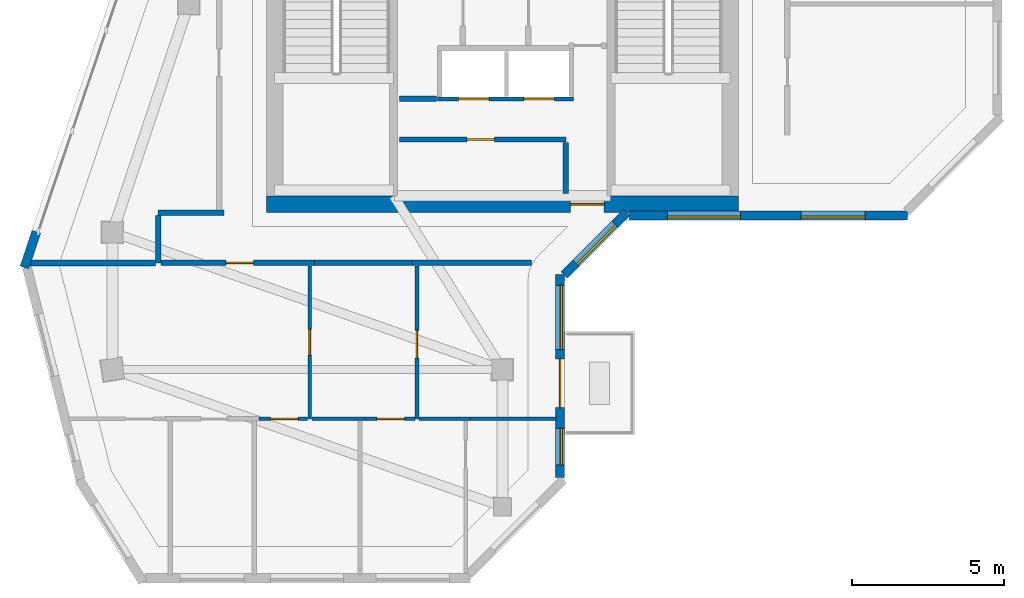
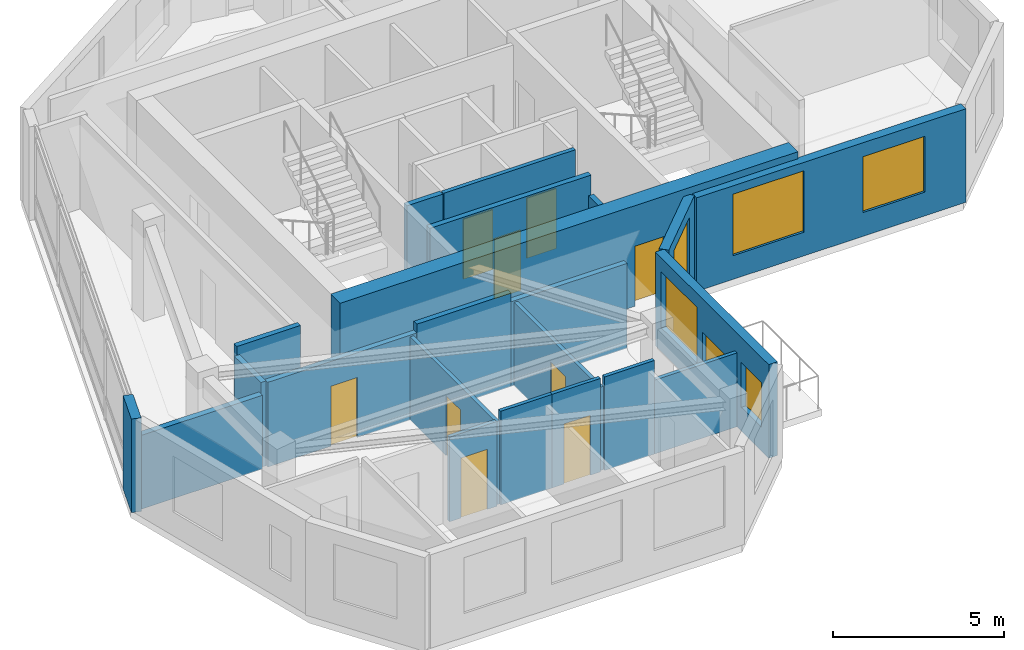
# One storey, part 3 of 7: 22 walls, 10 doors, 5 windows, 15 openings.
"""IFC4 building model written with IfcOpenShell, lengths in metres."""

from ifc_helpers import new_model, si_unit, direction, frame, frame_2d, origin, place, context, subcontext, project, spatial, rectangle, extrude, source, transform, mapped, material, layer, layer_set, type_object, element, fill, save


model = new_model("IFC4")

# Units and contexts
model_context = context("Model", 3, precision=1e-05, world=origin(), true_north=direction((0.0, 1.0)))
body_context = subcontext(model_context, "Body", "Model", "MODEL_VIEW")
ifc_project = project(units=[si_unit("LENGTHUNIT", "METRE"), si_unit("AREAUNIT", "SQUARE_METRE"), si_unit("VOLUMEUNIT", "CUBIC_METRE"), si_unit("PLANEANGLEUNIT", "RADIAN"), si_unit("MASSUNIT", "GRAM", prefix="KILO")], contexts=[model_context])

# Site, building, storey
site_placement = place(None, origin())
site = spatial("IfcSite", under=ifc_project, at=site_placement, CompositionType="ELEMENT")
building_placement = place(site_placement, origin())
building = spatial("IfcBuilding", under=site, at=building_placement, Name="Calvemar Wedge Station Tower", CompositionType="ELEMENT")
storey_placement = place(building_placement, frame((0.0, 0.0, 288.89990234375)))
storey = spatial("IfcBuildingStorey", under=building, at=storey_placement, Name="L74", CompositionType="ELEMENT", Elevation=288.89990234375)

# Wall, opening, door
ifc_material_1 = material(Name="Concrete C60", Category="concrete")
ifc_layer_1 = layer(ifc_material_1, 0.550048828125)
ifc_layer_set_1 = layer_set([ifc_layer_1], Name="Concrete C60")
wall_type_1 = type_object("IfcWallType", Name="SW-CORE-550", PredefinedType="SHEAR", material=ifc_layer_set_1)
wall_1_placement = place(storey_placement, frame((16.050048828125, 33.925048828125, 0.0), z_axis=(0.0, 0.0, 1.0), x_axis=(1.0, 0.0, 0.0)))
wall_1 = element("IfcWall", 1, at=wall_1_placement, inside=storey, type_object=wall_type_1, Name="Storey L74 Core Shear Wall S", PredefinedType="SHEAR", context=body_context, shape_type="SweptSolid", body=[
    extrude(rectangle(XDim=15.5, YDim=0.550048828125, at=frame_2d((7.75, 0.0))), origin(), (0.0, 0.0, 1.0), 3.60009765625),
])
shared_shape_1 = source(origin(), body_context, "Body", "SweptSolid", [
    extrude(rectangle(XDim=1.10009765625, YDim=2.14990234375, at=frame_2d((0.550048828125, 1.074951171875))), frame((0.0, 0.28515625, 0.0), z_axis=(0.0, -1.0, 0.0), x_axis=(1.0, 0.0, 0.0)), (0.0, 0.0, 1.0), 0.570068359375),
])
opening_1_placement = place(wall_1_placement, frame((9.97998046875, 0.0, 0.0)))
opening_1 = element("IfcOpeningElement", 2, at=opening_1_placement, cuts=wall_1, Name="Opening FD-90", PredefinedType="OPENING", context=body_context, shape_type="MappedRepresentation", body=[
    mapped(shared_shape_1, transform((0.0, 0.0, 0.0), scale=1.0)),
])
ifc_material_2 = material(Name="Galvanized fire-rated steel door leaf P-90", Category="steel")
door_type_1 = type_object("IfcDoorType", Name="DR-FD90-1100", OperationType="NOTDEFINED", PredefinedType="DOOR", material=ifc_material_2)
shared_shape_2 = source(origin(), body_context, "Body", "SweptSolid", [
    extrude(rectangle(XDim=1.10009765625, YDim=2.14990234375, at=frame_2d((0.550048828125, 1.074951171875))), frame((0.0, 0.02490234375, 0.0), z_axis=(0.0, -1.0, 0.0), x_axis=(1.0, 0.0, 0.0)), (0.0, 0.0, 1.0), 0.050048828125),
])
door_1_placement = place(opening_1_placement, origin())
door_1 = element("IfcDoor", 3, at=door_1_placement, inside=storey, type_object=door_type_1, Name="L74 Passenger Lift Lobby Door", OperationType="SINGLE_SWING_RIGHT", OverallHeight=2.14990234375, OverallWidth=1.10009765625, PredefinedType="DOOR", context=body_context, shape_type="MappedRepresentation", body=[
    mapped(shared_shape_2, transform((0.0, 0.0, 0.0), scale=1.0)),
])
fill(opening_1, door_1)

# Wall
ifc_material_3 = material(Name="Double-stud fire-rated corridor partition")
ifc_layer_2 = layer(ifc_material_3, 0.179931640625)
ifc_layer_set_2 = layer_set([ifc_layer_2], Name="Double-stud fire-rated corridor partition")
wall_type_2 = type_object("IfcWallType", Name="W-CORR-180", PredefinedType="PARTITIONING", material=ifc_layer_set_2)
wall_2_placement = place(storey_placement, frame((21.6298828125, 37.3798828125, 0.0), z_axis=(0.0, 0.0, 1.0), x_axis=(-1.0, 0.0, 0.0)))
element("IfcWall", 4, at=wall_2_placement, inside=storey, type_object=wall_type_2, Name="Storey L74 Interior Partition WL-L74-004", PredefinedType="PARTITIONING", context=body_context, shape_type="SweptSolid", body=[
    extrude(rectangle(XDim=1.2099609375, YDim=0.179931640625, at=frame_2d((0.60498046875, 0.0))), origin(), (0.0, 0.0, 1.0), 3.35009765625),
])

# Wall, opening, door
wall_3_placement = place(storey_placement, frame((20.419921875, 36.050048828125, 0.0), z_axis=(0.0, 0.0, 1.0), x_axis=(1.0, 0.0, 0.0)))
wall_3 = element("IfcWall", 5, at=wall_3_placement, inside=storey, type_object=wall_type_2, Name="Storey L74 Interior Partition WL-L74-007", PredefinedType="PARTITIONING", context=body_context, shape_type="SweptSolid", body=[
    extrude(rectangle(XDim=5.4599609375, YDim=0.179931640625, at=frame_2d((2.72998046875, 0.0))), origin(), (0.0, 0.0, 1.0), 3.35009765625),
])
shared_shape_3 = source(origin(), body_context, "Body", "SweptSolid", [
    extrude(rectangle(XDim=0.89990234375, YDim=2.14990234375, at=frame_2d((0.449951171875, 1.074951171875))), frame((0.0, 0.10009765625, 0.0), z_axis=(0.0, -1.0, 0.0), x_axis=(1.0, 0.0, 0.0)), (0.0, 0.0, 1.0), 0.199951171875),
])
opening_2_placement = place(wall_3_placement, frame((2.219482421875, 0.0, 0.0)))
opening_2 = element("IfcOpeningElement", 6, at=opening_2_placement, cuts=wall_3, Name="Opening FD-60", PredefinedType="OPENING", context=body_context, shape_type="MappedRepresentation", body=[
    mapped(shared_shape_3, transform((0.0, 0.0, 0.0), scale=1.0)),
])
ifc_material_4 = material(Name="Fire-rated acoustic timber-core entrance door EI 60", Category="wood")
door_type_2 = type_object("IfcDoorType", Name="DR-FD60-900", OperationType="NOTDEFINED", PredefinedType="DOOR", material=ifc_material_4)
shared_shape_4 = source(origin(), body_context, "Body", "SweptSolid", [
    extrude(rectangle(XDim=0.89990234375, YDim=2.14990234375, at=frame_2d((0.449951171875, 1.074951171875))), frame((0.0, 0.02490234375, 0.0), z_axis=(0.0, -1.0, 0.0), x_axis=(1.0, 0.0, 0.0)), (0.0, 0.0, 1.0), 0.050048828125),
])
door_2_placement = place(opening_2_placement, origin())
door_2 = element("IfcDoor", 7, at=door_2_placement, inside=storey, type_object=door_type_2, Name="L74 Wine and Parcel Store Door", OperationType="SINGLE_SWING_RIGHT", OverallHeight=2.14990234375, OverallWidth=0.89990234375, PredefinedType="DOOR", context=body_context, shape_type="MappedRepresentation", body=[
    mapped(shared_shape_4, transform((0.0, 0.0, 0.0), scale=1.0)),
])
fill(opening_2, door_2)

# Walls
wall_4_placement = place(storey_placement, frame((25.8798828125, 35.9560546875, 0.0), z_axis=(0.0, 0.0, 1.0), x_axis=(0.0, -1.0, 0.0)))
element("IfcWall", 8, at=wall_4_placement, inside=storey, type_object=wall_type_2, Name="Storey L74 Interior Partition WL-L74-008", PredefinedType="PARTITIONING", context=body_context, shape_type="SweptSolid", body=[
    extrude(rectangle(XDim=1.68603515625, YDim=0.179931640625, at=frame_2d((0.843017578125, 0.0))), origin(), (0.0, 0.0, 1.0), 2.64208984375),
])
wall_5_placement = place(storey_placement, frame((12.5, 33.64990234375, 0.0), z_axis=(0.0, 0.0, 1.0), x_axis=(1.0, 0.0, 0.0)))
element("IfcWall", 9, at=wall_5_placement, inside=storey, type_object=wall_type_2, Name="Storey L74 Interior Partition WL-L74-009", PredefinedType="PARTITIONING", context=body_context, shape_type="SweptSolid", body=[
    extrude(rectangle(XDim=2.159912109375, YDim=0.179931640625, at=frame_2d((1.080078125, 0.0))), origin(), (0.0, 0.0, 1.0), 3.35009765625),
])
wall_6_placement = place(storey_placement, frame((12.5, 32.0, 0.0), z_axis=(0.0, 0.0, 1.0), x_axis=(0.0, 1.0, 0.0)))
element("IfcWall", 10, at=wall_6_placement, inside=storey, type_object=wall_type_2, Name="Storey L74 Interior Partition WL-L74-010", PredefinedType="PARTITIONING", context=body_context, shape_type="SweptSolid", body=[
    extrude(rectangle(XDim=1.555908203125, YDim=0.179931640625, at=frame_2d((0.77783203125, 0.0))), origin(), (0.0, 0.0, 1.0), 3.0341796875),
])
wall_7_placement = place(storey_placement, frame((24.75390625, 32.0, 0.0), z_axis=(0.0, 0.0, 1.0), x_axis=(-1.0, 0.0, 0.0)))
element("IfcWall", 11, at=wall_7_placement, inside=storey, type_object=wall_type_2, Name="Storey L74 Interior Partition WL-L74-011", PredefinedType="PARTITIONING", context=body_context, shape_type="SweptSolid", body=[
    extrude(rectangle(XDim=3.919921875, YDim=0.179931640625, at=frame_2d((1.9599609375, 0.0))), origin(), (0.0, 0.0, 1.0), 3.0341796875),
])

# Wall, opening, door
wall_8_placement = place(storey_placement, frame((17.635986328125, 32.0, 0.0), z_axis=(0.0, 0.0, 1.0), x_axis=(-1.0, 0.0, 0.0)))
wall_8 = element("IfcWall", 12, at=wall_8_placement, inside=storey, type_object=wall_type_2, Name="Storey L74 Interior Partition WL-L74-012", PredefinedType="PARTITIONING", context=body_context, shape_type="SweptSolid", body=[
    extrude(rectangle(XDim=5.0419921875, YDim=0.179931640625, at=frame_2d((2.52099609375, 0.0))), origin(), (0.0, 0.0, 1.0), 3.0341796875),
])
opening_3_placement = place(wall_8_placement, frame((2.00927734375, 0.0, 0.0)))
opening_3 = element("IfcOpeningElement", 13, at=opening_3_placement, cuts=wall_8, Name="Opening FD-60", PredefinedType="OPENING", context=body_context, shape_type="MappedRepresentation", body=[
    mapped(shared_shape_3, transform((0.0, 0.0, 0.0), scale=1.0)),
])
door_3_placement = place(opening_3_placement, origin())
door_3 = element("IfcDoor", 14, at=door_3_placement, inside=storey, type_object=door_type_2, Name="L74 Living Dining Door", OperationType="SINGLE_SWING_RIGHT", OverallHeight=2.14990234375, OverallWidth=0.89990234375, PredefinedType="DOOR", context=body_context, shape_type="MappedRepresentation", body=[
    mapped(shared_shape_4, transform((0.0, 0.0, 0.0), scale=1.0)),
])
fill(opening_3, door_3)

# Walls
wall_9_placement = place(storey_placement, frame((20.83203125, 32.0, 0.0), z_axis=(0.0, 0.0, 1.0), x_axis=(-1.0, 0.0, 0.0)))
element("IfcWall", 15, at=wall_9_placement, inside=storey, type_object=wall_type_2, Name="Storey L74 Interior Partition WL-L74-013", PredefinedType="PARTITIONING", context=body_context, shape_type="SweptSolid", body=[
    extrude(rectangle(XDim=3.194091796875, YDim=0.179931640625, at=frame_2d((1.59716796875, 0.0))), origin(), (0.0, 0.0, 1.0), 3.35009765625),
])
ifc_material_5 = material(Name="Twin-stud fire-rated inter-tenancy wall")
ifc_layer_3 = layer(ifc_material_5, 0.199951171875)
ifc_layer_set_3 = layer_set([ifc_layer_3], Name="Twin-stud fire-rated inter-tenancy wall")
wall_type_3 = type_object("IfcWallType", Name="W-DEMISE-200", PredefinedType="PARTITIONING", material=ifc_layer_set_3)
wall_10_placement = place(storey_placement, frame((12.406005859375, 32.0, 0.0), z_axis=(0.0, 0.0, 1.0), x_axis=(-1.0, 0.0, 0.0)))
element("IfcWall", 16, at=wall_10_placement, inside=storey, type_object=wall_type_3, Name="Storey L74 Interior Partition WL-L74-022", PredefinedType="PARTITIONING", context=body_context, shape_type="SweptSolid", body=[
    extrude(rectangle(XDim=4.126220703125, YDim=0.199951171875, at=frame_2d((2.06298828125, 0.0))), origin(), (0.0, 0.0, 1.0), 2.64208984375),
])

# Wall, openings, windows, door
ifc_material_6 = material(Name="Precast concrete C45", Category="concrete")
ifc_layer_4 = layer(ifc_material_6, 0.300048828125)
ifc_layer_set_4 = layer_set([ifc_layer_4], Name="Precast concrete C45")
wall_type_4 = type_object("IfcWallType", Name="W-EXT-GFRC-300", PredefinedType="SOLIDWALL", material=ifc_layer_set_4)
wall_11_placement = place(storey_placement, frame((25.68994140625, 24.957275390625, 0.0), z_axis=(0.0, 0.0, 1.0), x_axis=(0.0, 1.0, 0.0)))
wall_11 = element("IfcWall", 17, at=wall_11_placement, inside=storey, type_object=wall_type_4, Name="Storey L74 Bronze GFRC Exterior Wall 4", PredefinedType="SOLIDWALL", context=body_context, shape_type="SweptSolid", body=[
    extrude(rectangle(XDim=6.65478515625, YDim=0.300048828125, at=frame_2d((3.327392578125, 0.0))), origin(), (0.0, 0.0, 1.0), 3.35009765625),
])
shared_shape_5 = source(origin(), body_context, "Body", "SweptSolid", [
    extrude(rectangle(XDim=1.60009765625, YDim=2.14990234375, at=frame_2d((0.800048828125, 1.074951171875))), frame((0.0, 0.16015625, 0.0), z_axis=(0.0, -1.0, 0.0), x_axis=(1.0, 0.0, 0.0)), (0.0, 0.0, 1.0), 0.320068359375),
])
opening_4_placement = place(wall_11_placement, frame((2.29296875, 0.0, 0.0)))
opening_4 = element("IfcOpeningElement", 18, at=opening_4_placement, cuts=wall_11, Name="Opening DT1", PredefinedType="OPENING", context=body_context, shape_type="MappedRepresentation", body=[
    mapped(shared_shape_5, transform((0.0, 0.0, 0.0), scale=1.0)),
])
shared_shape_6 = source(origin(), body_context, "Body", "SweptSolid", [
    extrude(rectangle(XDim=1.199951171875, YDim=1.60009765625, at=frame_2d((0.60009765625, 0.800048828125))), frame((0.0, 0.16015625, 0.0), z_axis=(0.0, -1.0, 0.0), x_axis=(1.0, 0.0, 0.0)), (0.0, 0.0, 1.0), 0.320068359375),
])
opening_5_placement = place(wall_11_placement, frame((0.4130859375, 0.0, 0.85009765625)))
opening_5 = element("IfcOpeningElement", 19, at=opening_5_placement, cuts=wall_11, Name="Opening W5", PredefinedType="OPENING", context=body_context, shape_type="MappedRepresentation", body=[
    mapped(shared_shape_6, transform((0.0, 0.0, 0.0), scale=1.0)),
])
shared_shape_7 = source(origin(), body_context, "Body", "SweptSolid", [
    extrude(rectangle(XDim=2.10009765625, YDim=2.0, at=frame_2d((1.050048828125, 1.0))), frame((0.0, 0.16015625, 0.0), z_axis=(0.0, -1.0, 0.0), x_axis=(1.0, 0.0, 0.0)), (0.0, 0.0, 1.0), 0.320068359375),
])
opening_6_placement = place(wall_11_placement, frame((4.2041015625, 0.0, 0.85009765625)))
opening_6 = element("IfcOpeningElement", 20, at=opening_6_placement, cuts=wall_11, Name="Opening W4", PredefinedType="OPENING", context=body_context, shape_type="MappedRepresentation", body=[
    mapped(shared_shape_7, transform((0.0, 0.0, 0.0), scale=1.0)),
])
ifc_material_7 = material(Name="Low-E laminated insulated glass", Category="glass")
window_type_1 = type_object("IfcWindowType", Name="WIN-EXT-4", PartitioningType="SINGLE_PANEL", PredefinedType="WINDOW", material=ifc_material_7)
shared_shape_8 = source(origin(), body_context, "Body", "SweptSolid", [
    extrude(rectangle(XDim=2.10009765625, YDim=2.0, at=frame_2d((1.050048828125, 1.0))), frame((0.0, -0.014892578125, 0.0), z_axis=(0.0, -1.0, 0.0), x_axis=(1.0, 0.0, 0.0)), (0.0, 0.0, 1.0), 0.06005859375),
])
window_1_placement = place(opening_6_placement, origin())
window_1 = element("IfcWindow", 21, at=window_1_placement, inside=storey, type_object=window_type_1, Name="Storey L74 Recessed Window 4.2", OverallHeight=2.0, OverallWidth=2.10009765625, PartitioningType="SINGLE_PANEL", PredefinedType="WINDOW", context=body_context, shape_type="MappedRepresentation", body=[
    mapped(shared_shape_8, transform((0.0, 0.0, 0.0), scale=1.0)),
])
fill(opening_6, window_1)
ifc_material_8 = material(Name="Anodised aluminium 6063-T6", Category="aluminium")
door_type_3 = type_object("IfcDoorType", Name="DR-TERR-1600", OperationType="DOUBLE_DOOR_SLIDING", PredefinedType="DOOR", material=ifc_material_8)
shared_shape_9 = source(origin(), body_context, "Body", "SweptSolid", [
    extrude(rectangle(XDim=1.60009765625, YDim=2.14990234375, at=frame_2d((0.800048828125, 1.074951171875))), frame((0.0, 0.02490234375, 0.0), z_axis=(0.0, -1.0, 0.0), x_axis=(1.0, 0.0, 0.0)), (0.0, 0.0, 1.0), 0.050048828125),
])
door_4_placement = place(opening_4_placement, origin())
door_4 = element("IfcDoor", 22, at=door_4_placement, inside=storey, type_object=door_type_3, Name="Storey L74 Spiral Terrace Door", OperationType="DOUBLE_DOOR_SLIDING", OverallHeight=2.14990234375, OverallWidth=1.60009765625, PredefinedType="DOOR", context=body_context, shape_type="MappedRepresentation", body=[
    mapped(shared_shape_9, transform((0.0, 0.0, 0.0), scale=1.0)),
])
fill(opening_4, door_4)
window_type_2 = type_object("IfcWindowType", Name="WIN-EXT-5", PartitioningType="SINGLE_PANEL", PredefinedType="WINDOW", material=ifc_material_7)
shared_shape_10 = source(origin(), body_context, "Body", "SweptSolid", [
    extrude(rectangle(XDim=1.199951171875, YDim=1.60009765625, at=frame_2d((0.60009765625, 0.800048828125))), frame((0.0, -0.014892578125, 0.0), z_axis=(0.0, -1.0, 0.0), x_axis=(1.0, 0.0, 0.0)), (0.0, 0.0, 1.0), 0.06005859375),
])
window_2_placement = place(opening_5_placement, origin())
window_2 = element("IfcWindow", 23, at=window_2_placement, inside=storey, type_object=window_type_2, Name="Storey L74 Recessed Window 4.1", OverallHeight=1.60009765625, OverallWidth=1.199951171875, PartitioningType="SINGLE_PANEL", PredefinedType="WINDOW", context=body_context, shape_type="MappedRepresentation", body=[
    mapped(shared_shape_10, transform((0.0, 0.0, 0.0), scale=1.0)),
])
fill(opening_5, window_2)

# Wall, opening, window
wall_12_placement = place(storey_placement, frame((25.827880859375, 31.60009765625, 0.0), z_axis=(0.0, 0.0, 1.0), x_axis=(0.707106781187, 0.707106781187, 0.0)))
wall_12 = element("IfcWall", 24, at=wall_12_placement, inside=storey, type_object=wall_type_4, Name="Storey L74 Bronze GFRC Exterior Wall 5", PredefinedType="SOLIDWALL", context=body_context, shape_type="SweptSolid", body=[
    extrude(rectangle(XDim=2.907470703125, YDim=0.300048828125, at=frame_2d((1.45361328125, 0.0))), origin(), (0.0, 0.0, 1.0), 3.35009765625),
])
shared_shape_11 = source(origin(), body_context, "Body", "SweptSolid", [
    extrude(rectangle(XDim=1.800048828125, YDim=2.10009765625, at=frame_2d((0.89990234375, 1.050048828125))), frame((0.0, 0.16015625, 0.0), z_axis=(0.0, -1.0, 0.0), x_axis=(1.0, 0.0, 0.0)), (0.0, 0.0, 1.0), 0.320068359375),
])
opening_7_placement = place(wall_12_placement, frame((0.553955078125, 0.0, 0.85009765625)))
opening_7 = element("IfcOpeningElement", 25, at=opening_7_placement, cuts=wall_12, Name="Opening W2", PredefinedType="OPENING", context=body_context, shape_type="MappedRepresentation", body=[
    mapped(shared_shape_11, transform((0.0, 0.0, 0.0), scale=1.0)),
])
window_type_3 = type_object("IfcWindowType", Name="WIN-EXT-2", PartitioningType="SINGLE_PANEL", PredefinedType="WINDOW", material=ifc_material_7)
shared_shape_12 = source(origin(), body_context, "Body", "SweptSolid", [
    extrude(rectangle(XDim=1.800048828125, YDim=2.10009765625, at=frame_2d((0.89990234375, 1.050048828125))), frame((0.0, -0.014892578125, 0.0), z_axis=(0.0, -1.0, 0.0), x_axis=(1.0, 0.0, 0.0)), (0.0, 0.0, 1.0), 0.06005859375),
])
window_3_placement = place(opening_7_placement, origin())
window_3 = element("IfcWindow", 26, at=window_3_placement, inside=storey, type_object=window_type_3, Name="Storey L74 Recessed Window 5.1", OverallHeight=2.10009765625, OverallWidth=1.800048828125, PartitioningType="SINGLE_PANEL", PredefinedType="WINDOW", context=body_context, shape_type="MappedRepresentation", body=[
    mapped(shared_shape_12, transform((0.0, 0.0, 0.0), scale=1.0)),
])
fill(opening_7, window_3)

# Wall, openings, windows
wall_13_placement = place(storey_placement, frame((27.972900390625, 33.550048828125, 0.0), z_axis=(0.0, 0.0, 1.0), x_axis=(1.0, 0.0, 0.0)))
wall_13 = element("IfcWall", 27, at=wall_13_placement, inside=storey, type_object=wall_type_4, Name="Storey L74 Bronze GFRC Exterior Wall 6", PredefinedType="SOLIDWALL", context=body_context, shape_type="SweptSolid", body=[
    extrude(rectangle(XDim=9.114990234375, YDim=0.300048828125, at=frame_2d((4.5576171875, 0.0))), origin(), (0.0, 0.0, 1.0), 3.35009765625),
])
shared_shape_13 = source(origin(), body_context, "Body", "SweptSolid", [
    extrude(rectangle(XDim=2.39990234375, YDim=2.199951171875, at=frame_2d((1.199951171875, 1.10009765625))), frame((0.0, 0.16015625, 0.0), z_axis=(0.0, -1.0, 0.0), x_axis=(1.0, 0.0, 0.0)), (0.0, 0.0, 1.0), 0.320068359375),
])
opening_8_placement = place(wall_13_placement, frame((1.239013671875, 0.0, 0.85009765625)))
opening_8 = element("IfcOpeningElement", 28, at=opening_8_placement, cuts=wall_13, Name="Opening W1", PredefinedType="OPENING", context=body_context, shape_type="MappedRepresentation", body=[
    mapped(shared_shape_13, transform((0.0, 0.0, 0.0), scale=1.0)),
])
opening_9_placement = place(wall_13_placement, frame((5.6259765625, 0.0, 0.85009765625)))
opening_9 = element("IfcOpeningElement", 29, at=opening_9_placement, cuts=wall_13, Name="Opening W4", PredefinedType="OPENING", context=body_context, shape_type="MappedRepresentation", body=[
    mapped(shared_shape_7, transform((0.0, 0.0, 0.0), scale=1.0)),
])
window_4_placement = place(opening_9_placement, origin())
window_4 = element("IfcWindow", 30, at=window_4_placement, inside=storey, type_object=window_type_1, Name="Storey L74 Recessed Window 6.2", OverallHeight=2.0, OverallWidth=2.10009765625, PartitioningType="SINGLE_PANEL", PredefinedType="WINDOW", context=body_context, shape_type="MappedRepresentation", body=[
    mapped(shared_shape_8, transform((0.0, 0.0, 0.0), scale=1.0)),
])
fill(opening_9, window_4)
window_type_4 = type_object("IfcWindowType", Name="WIN-EXT-1", PartitioningType="SINGLE_PANEL", PredefinedType="WINDOW", material=ifc_material_7)
shared_shape_14 = source(origin(), body_context, "Body", "SweptSolid", [
    extrude(rectangle(XDim=2.39990234375, YDim=2.199951171875, at=frame_2d((1.199951171875, 1.10009765625))), frame((0.0, -0.014892578125, 0.0), z_axis=(0.0, -1.0, 0.0), x_axis=(1.0, 0.0, 0.0)), (0.0, 0.0, 1.0), 0.06005859375),
])
window_5_placement = place(opening_8_placement, origin())
window_5 = element("IfcWindow", 31, at=window_5_placement, inside=storey, type_object=window_type_4, Name="Storey L74 Recessed Window 6.1", OverallHeight=2.199951171875, OverallWidth=2.39990234375, PartitioningType="SINGLE_PANEL", PredefinedType="WINDOW", context=body_context, shape_type="MappedRepresentation", body=[
    mapped(shared_shape_14, transform((0.0, 0.0, 0.0), scale=1.0)),
])
fill(opening_8, window_5)

# Wall
wall_14_placement = place(storey_placement, frame((8.501708984375, 33.01708984375, 0.0), z_axis=(0.0, 0.0, 1.0), x_axis=(-0.319798692732, -0.947485512357, 0.0)))
element("IfcWall", 32, at=wall_14_placement, inside=storey, type_object=wall_type_4, Name="Storey L74 Bronze GFRC Corner Pier 12B", PredefinedType="SOLIDWALL", context=body_context, shape_type="SweptSolid", body=[
    extrude(rectangle(XDim=1.22998046875, YDim=0.300048828125, at=frame_2d((0.614990234375, 0.0))), origin(), (0.0, 0.0, 1.0), 3.35009765625),
])

# Wall, openings, doors
ifc_material_9 = material(Name="Reinforced concrete blockwork lift shaft wall", Category="masonry")
ifc_layer_5 = layer(ifc_material_9, 0.139892578125)
ifc_layer_set_5 = layer_set([ifc_layer_5], Name="Reinforced concrete blockwork lift shaft wall")
wall_type_5 = type_object("IfcWallType", Name="W-LIFT-160", PredefinedType="SOLIDWALL", material=ifc_layer_set_5)
wall_15_placement = place(storey_placement, frame((21.669921875, 37.3798828125, 0.0), z_axis=(0.0, 0.0, 1.0), x_axis=(1.0, 0.0, 0.0)))
wall_15 = element("IfcWall", 33, at=wall_15_placement, inside=storey, type_object=wall_type_5, Name="Storey L74 Upper Passenger Lift Bank Front Wall", PredefinedType="SOLIDWALL", context=body_context, shape_type="SweptSolid", body=[
    extrude(rectangle(XDim=4.4599609375, YDim=0.139892578125, at=frame_2d((2.22998046875, 0.0))), origin(), (0.0, 0.0, 1.0), 3.35009765625),
])
shared_shape_15 = source(origin(), body_context, "Body", "SweptSolid", [
    extrude(rectangle(XDim=1.0, YDim=2.14990234375, at=frame_2d((0.5, 1.074951171875))), frame((0.0, 0.080078125, 0.0), z_axis=(0.0, -1.0, 0.0), x_axis=(1.0, 0.0, 0.0)), (0.0, 0.0, 1.0), 0.159912109375),
])
opening_10_placement = place(wall_15_placement, frame((0.695068359375, 0.0, 0.0)))
opening_10 = element("IfcOpeningElement", 34, at=opening_10_placement, cuts=wall_15, Name="Opening LD-PAX", PredefinedType="OPENING", context=body_context, shape_type="MappedRepresentation", body=[
    mapped(shared_shape_15, transform((0.0, 0.0, 0.0), scale=1.0)),
])
opening_11_placement = place(wall_15_placement, frame((2.8349609375, 0.0, 0.0)))
opening_11 = element("IfcOpeningElement", 35, at=opening_11_placement, cuts=wall_15, Name="Opening LD-PAX", PredefinedType="OPENING", context=body_context, shape_type="MappedRepresentation", body=[
    mapped(shared_shape_15, transform((0.0, 0.0, 0.0), scale=1.0)),
])
ifc_material_10 = material(Name="Anodised bronze passenger lift sliding landing door")
door_type_4 = type_object("IfcDoorType", Name="DR-LD-PAX-1000", OperationType="SLIDING_TO_LEFT", PredefinedType="DOOR", material=ifc_material_10)
shared_shape_16 = source(origin(), body_context, "Body", "SweptSolid", [
    extrude(rectangle(XDim=1.0, YDim=2.14990234375, at=frame_2d((0.5, 1.074951171875))), frame((0.0, 0.02490234375, 0.0), z_axis=(0.0, -1.0, 0.0), x_axis=(1.0, 0.0, 0.0)), (0.0, 0.0, 1.0), 0.050048828125),
])
door_5_placement = place(opening_10_placement, origin())
door_5 = element("IfcDoor", 36, at=door_5_placement, inside=storey, type_object=door_type_4, Name="L74 Lift RH-02 Sliding Landing Door", OperationType="SLIDING_TO_RIGHT", OverallHeight=2.14990234375, OverallWidth=1.0, PredefinedType="DOOR", context=body_context, shape_type="MappedRepresentation", body=[
    mapped(shared_shape_16, transform((0.0, 0.0, 0.0), scale=1.0)),
])
fill(opening_10, door_5)
door_6_placement = place(opening_11_placement, origin())
door_6 = element("IfcDoor", 37, at=door_6_placement, inside=storey, type_object=door_type_4, Name="L74 Lift RH-03 Sliding Landing Door", OperationType="SLIDING_TO_LEFT", OverallHeight=2.14990234375, OverallWidth=1.0, PredefinedType="DOOR", context=body_context, shape_type="MappedRepresentation", body=[
    mapped(shared_shape_16, transform((0.0, 0.0, 0.0), scale=1.0)),
])
fill(opening_11, door_6)

# Wall, opening, door
ifc_material_11 = material(Name="Insulated acoustic gypsum stud partition")
ifc_layer_6 = layer(ifc_material_11, 0.125)
ifc_layer_set_6 = layer_set([ifc_layer_6], Name="Insulated acoustic gypsum stud partition")
wall_type_6 = type_object("IfcWallType", Name="W-PART-125", PredefinedType="PARTITIONING", material=ifc_layer_set_6)
wall_16_placement = place(storey_placement, frame((20.993896484375, 26.883056640625, 0.0), z_axis=(0.0, 0.0, 1.0), x_axis=(0.0, 1.0, 0.0)))
wall_16 = element("IfcWall", 38, at=wall_16_placement, inside=storey, type_object=wall_type_6, Name="Storey L74 Interior Partition WL-L74-027", PredefinedType="PARTITIONING", context=body_context, shape_type="SweptSolid", body=[
    extrude(rectangle(XDim=5.02294921875, YDim=0.125, at=frame_2d((2.511474609375, 0.0))), origin(), (0.0, 0.0, 1.0), 2.97900390625),
])
shared_shape_17 = source(origin(), body_context, "Body", "SweptSolid", [
    extrude(rectangle(XDim=0.89990234375, YDim=2.14990234375, at=frame_2d((0.449951171875, 1.074951171875))), frame((0.0, 0.072509765625, 0.0), z_axis=(0.0, -1.0, 0.0), x_axis=(1.0, 0.0, 0.0)), (0.0, 0.0, 1.0), 0.14501953125),
])
opening_12_placement = place(wall_16_placement, frame((2.0, 0.0, 0.0)))
opening_12 = element("IfcOpeningElement", 39, at=opening_12_placement, cuts=wall_16, Name="Opening D-01", PredefinedType="OPENING", context=body_context, shape_type="MappedRepresentation", body=[
    mapped(shared_shape_17, transform((0.0, 0.0, 0.0), scale=1.0)),
])
ifc_material_12 = material(Name="Architectural hardwood acoustic swing door", Category="wood")
door_type_5 = type_object("IfcDoorType", Name="DR-INT-900", OperationType="NOTDEFINED", PredefinedType="DOOR", material=ifc_material_12)
shared_shape_18 = source(origin(), body_context, "Body", "SweptSolid", [
    extrude(rectangle(XDim=0.89990234375, YDim=2.14990234375, at=frame_2d((0.449951171875, 1.074951171875))), frame((0.0, 0.02490234375, 0.0), z_axis=(0.0, -1.0, 0.0), x_axis=(1.0, 0.0, 0.0)), (0.0, 0.0, 1.0), 0.050048828125),
])
door_7_placement = place(opening_12_placement, origin())
door_7 = element("IfcDoor", 40, at=door_7_placement, inside=storey, type_object=door_type_5, Name="L74 Study Door", OperationType="SINGLE_SWING_LEFT", OverallHeight=2.14990234375, OverallWidth=0.89990234375, PredefinedType="DOOR", context=body_context, shape_type="MappedRepresentation", body=[
    mapped(shared_shape_18, transform((0.0, 0.0, 0.0), scale=1.0)),
])
fill(opening_12, door_7)

# Walls
wall_17_placement = place(storey_placement, frame((22.7529296875, 26.883056640625, 0.0), z_axis=(0.0, 0.0, 1.0), x_axis=(-1.0, 0.0, 0.0)))
element("IfcWall", 41, at=wall_17_placement, inside=storey, type_object=wall_type_6, Name="Storey L74 Interior Partition WL-L74-028", PredefinedType="PARTITIONING", context=body_context, shape_type="SweptSolid", body=[
    extrude(rectangle(XDim=1.6923828125, YDim=0.125, at=frame_2d((0.84619140625, 0.0))), origin(), (0.0, 0.0, 1.0), 3.35009765625),
])
wall_18_placement = place(storey_placement, frame((25.574951171875, 26.883056640625, 0.0), z_axis=(0.0, 0.0, 1.0), x_axis=(-1.0, 0.0, 0.0)))
element("IfcWall", 42, at=wall_18_placement, inside=storey, type_object=wall_type_6, Name="Storey L74 Interior Partition WL-L74-029", PredefinedType="PARTITIONING", context=body_context, shape_type="SweptSolid", body=[
    extrude(rectangle(XDim=2.820068359375, YDim=0.125, at=frame_2d((1.41015625, 0.0))), origin(), (0.0, 0.0, 1.0), 2.64208984375),
])

# Wall, opening, door
wall_19_placement = place(storey_placement, frame((17.47607421875, 31.906005859375, 0.0), z_axis=(0.0, 0.0, 1.0), x_axis=(0.0, -1.0, 0.0)))
wall_19 = element("IfcWall", 43, at=wall_19_placement, inside=storey, type_object=wall_type_6, Name="Storey L74 Interior Partition WL-L74-030", PredefinedType="PARTITIONING", context=body_context, shape_type="SweptSolid", body=[
    extrude(rectangle(XDim=5.02294921875, YDim=0.125, at=frame_2d((2.511474609375, 0.0))), origin(), (0.0, 0.0, 1.0), 2.97900390625),
])
shared_shape_19 = source(origin(), body_context, "Body", "SweptSolid", [
    extrude(rectangle(XDim=0.85009765625, YDim=2.14990234375, at=frame_2d((0.425048828125, 1.074951171875))), frame((0.0, 0.072509765625, 0.0), z_axis=(0.0, -1.0, 0.0), x_axis=(1.0, 0.0, 0.0)), (0.0, 0.0, 1.0), 0.14501953125),
])
opening_13_placement = place(wall_19_placement, frame((2.08642578125, 0.0, 0.0)))
opening_13 = element("IfcOpeningElement", 44, at=opening_13_placement, cuts=wall_19, Name="Opening D-02", PredefinedType="OPENING", context=body_context, shape_type="MappedRepresentation", body=[
    mapped(shared_shape_19, transform((0.0, 0.0, 0.0), scale=1.0)),
])
ifc_material_13 = material(Name="Moisture-sealed bathroom hardwood swing door", Category="wood")
door_type_6 = type_object("IfcDoorType", Name="DR-WET-850", OperationType="NOTDEFINED", PredefinedType="DOOR", material=ifc_material_13)
shared_shape_20 = source(origin(), body_context, "Body", "SweptSolid", [
    extrude(rectangle(XDim=0.85009765625, YDim=2.14990234375, at=frame_2d((0.425048828125, 1.074951171875))), frame((0.0, 0.02490234375, 0.0), z_axis=(0.0, -1.0, 0.0), x_axis=(1.0, 0.0, 0.0)), (0.0, 0.0, 1.0), 0.050048828125),
])
door_8_placement = place(opening_13_placement, origin())
door_8 = element("IfcDoor", 45, at=door_8_placement, inside=storey, type_object=door_type_6, Name="L74 Kitchen Door", OperationType="SINGLE_SWING_LEFT", OverallHeight=2.14990234375, OverallWidth=0.85009765625, PredefinedType="DOOR", context=body_context, shape_type="MappedRepresentation", body=[
    mapped(shared_shape_20, transform((0.0, 0.0, 0.0), scale=1.0)),
])
fill(opening_13, door_8)

wall_20_placement = place(storey_placement, frame((17.409423828125, 26.883056640625, 0.0), z_axis=(0.0, 0.0, 1.0), x_axis=(-1.0, 0.0, 0.0)))
wall_20 = element("IfcWall", 46, at=wall_20_placement, inside=storey, type_object=wall_type_6, Name="Storey L74 Interior Partition WL-L74-033", PredefinedType="PARTITIONING", context=body_context, shape_type="SweptSolid", body=[
    extrude(rectangle(XDim=1.597412109375, YDim=0.125, at=frame_2d((0.798828125, 0.0))), origin(), (0.0, 0.0, 1.0), 3.0341796875),
])
opening_14_placement = place(wall_20_placement, frame((0.314453125, 0.0, 0.0)))
opening_14 = element("IfcOpeningElement", 47, at=opening_14_placement, cuts=wall_20, Name="Opening D-01", PredefinedType="OPENING", context=body_context, shape_type="MappedRepresentation", body=[
    mapped(shared_shape_17, transform((0.0, 0.0, 0.0), scale=1.0)),
])
door_9_placement = place(opening_14_placement, origin())
door_9 = element("IfcDoor", 48, at=door_9_placement, inside=storey, type_object=door_type_5, Name="L74 Master Bedroom Door", OperationType="SINGLE_SWING_RIGHT", OverallHeight=2.14990234375, OverallWidth=0.89990234375, PredefinedType="DOOR", context=body_context, shape_type="MappedRepresentation", body=[
    mapped(shared_shape_18, transform((0.0, 0.0, 0.0), scale=1.0)),
])
fill(opening_14, door_9)

# Wall
wall_21_placement = place(storey_placement, frame((19.281982421875, 26.883056640625, 0.0), z_axis=(0.0, 0.0, 1.0), x_axis=(-1.0, 0.0, 0.0)))
element("IfcWall", 49, at=wall_21_placement, inside=storey, type_object=wall_type_6, Name="Storey L74 Interior Partition WL-L74-034", PredefinedType="PARTITIONING", context=body_context, shape_type="SweptSolid", body=[
    extrude(rectangle(XDim=1.739501953125, YDim=0.125, at=frame_2d((0.86962890625, 0.0))), origin(), (0.0, 0.0, 1.0), 3.35009765625),
])

# Wall, opening, door
wall_22_placement = place(storey_placement, frame((20.927490234375, 26.883056640625, 0.0), z_axis=(0.0, 0.0, 1.0), x_axis=(-1.0, 0.0, 0.0)))
wall_22 = element("IfcWall", 50, at=wall_22_placement, inside=storey, type_object=wall_type_6, Name="Storey L74 Interior Partition WL-L74-035", PredefinedType="PARTITIONING", context=body_context, shape_type="SweptSolid", body=[
    extrude(rectangle(XDim=1.6435546875, YDim=0.125, at=frame_2d((0.82177734375, 0.0))), origin(), (0.0, 0.0, 1.0), 3.35009765625),
])
opening_15_placement = place(wall_22_placement, frame((0.348876953125, 0.0, 0.0)))
opening_15 = element("IfcOpeningElement", 51, at=opening_15_placement, cuts=wall_22, Name="Opening D-01", PredefinedType="OPENING", context=body_context, shape_type="MappedRepresentation", body=[
    mapped(shared_shape_17, transform((0.0, 0.0, 0.0), scale=1.0)),
])
door_10_placement = place(opening_15_placement, origin())
door_10 = element("IfcDoor", 52, at=door_10_placement, inside=storey, type_object=door_type_5, Name="L74 Bedroom Door", OperationType="SINGLE_SWING_LEFT", OverallHeight=2.14990234375, OverallWidth=0.89990234375, PredefinedType="DOOR", context=body_context, shape_type="MappedRepresentation", body=[
    mapped(shared_shape_18, transform((0.0, 0.0, 0.0), scale=1.0)),
])
fill(opening_15, door_10)

save(model, "model.ifc")
